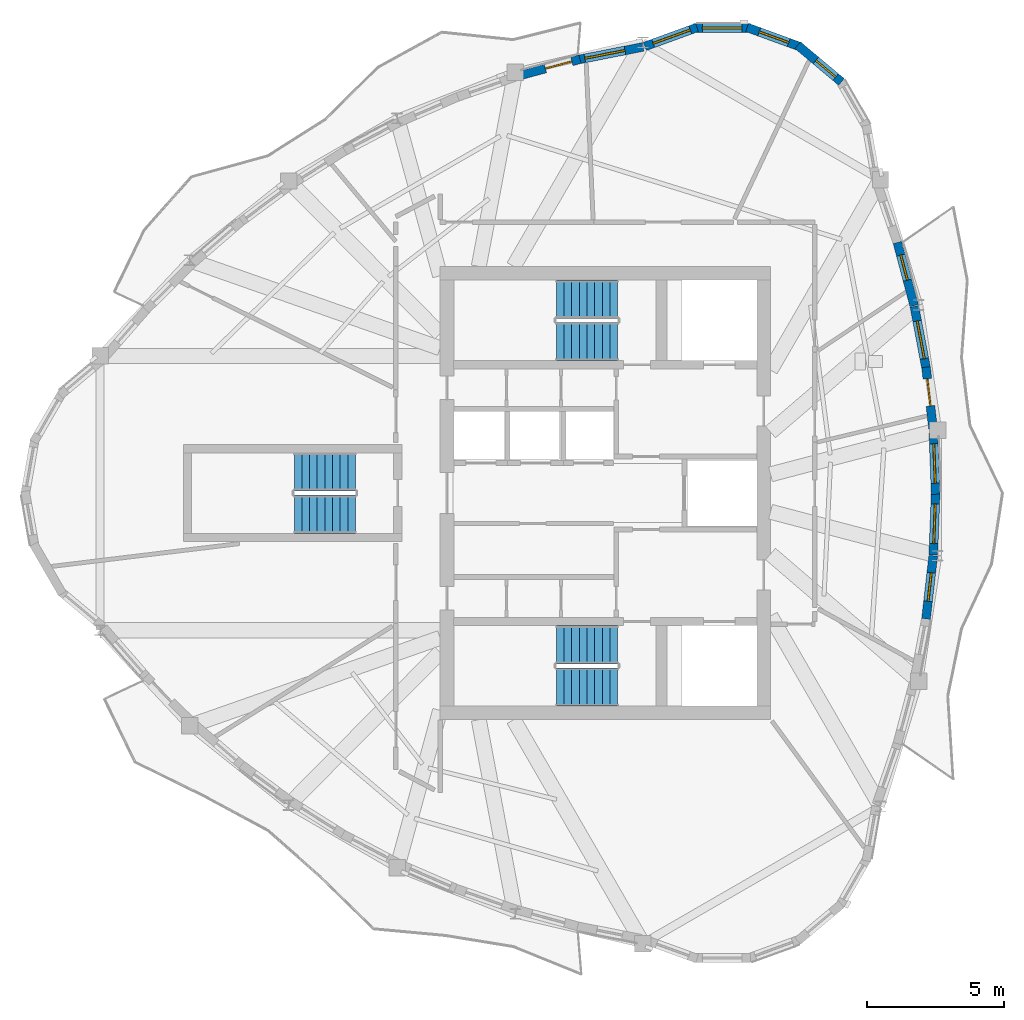
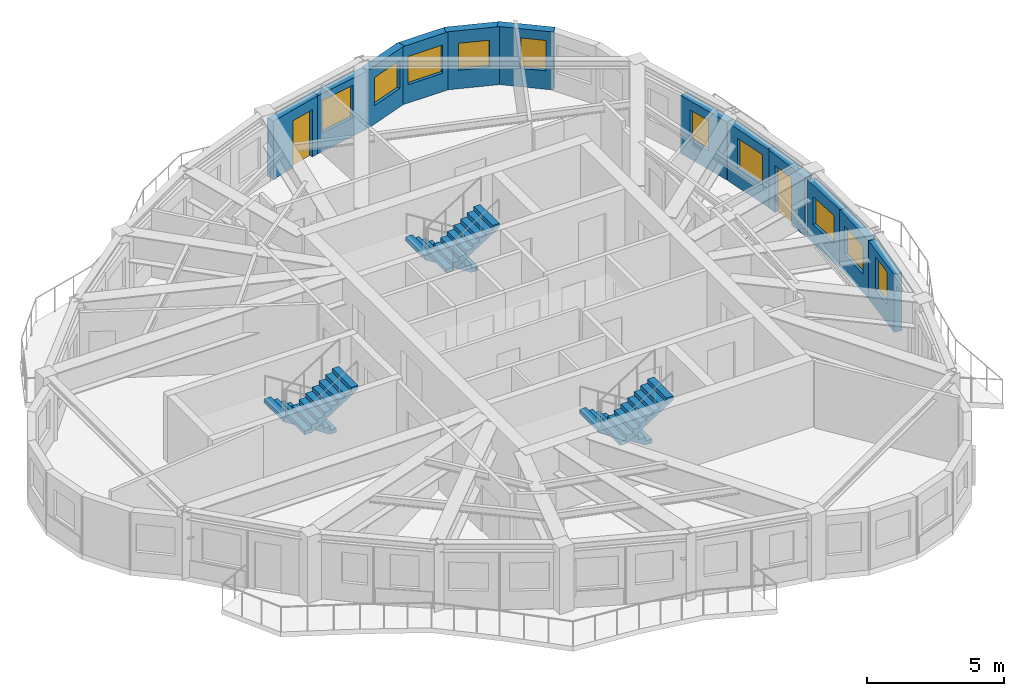
# One storey, part 7 of 11: 12 walls, 10 windows, 6 stair flights, 2 doors, 12 openings, 3 elements without a shape of their own.
"""IFC4 building model written with IfcOpenShell, lengths in metres."""

import ifcopenshell
import ifcopenshell.guid

model = None  # the IFC model being written
_history = None  # IfcOwnerHistory: only IFC2X3 demands one
_inside = {}  # id of a spatial element -> (the spatial element, [elements in it])
_under = {}  # id of a project, library or spatial element -> (it, [spatial elements below it])
_declared = {}  # id of a project -> (the project, [libraries it declares])
_typed = {}  # id of a type object -> (the type object, [elements of that type])
_made_of = {}  # id of a material, layer set ... -> (it, [elements and type objects made of it])


def new_model(schema):
    """Start an empty IFC model of exactly this schema.

    Asked for "IFC4X3", IfcOpenShell would pick the latest addendum, in which some entities
    have other attributes; the version numbers below select the first issue.
    IFC2X3 requires an IfcOwnerHistory on every rooted entity: one is made here for all.
    """
    global model, _history
    if schema == "IFC4X3":
        model = ifcopenshell.file(schema_version=(4, 3, 0, 0))
    else:
        model = ifcopenshell.file(schema=schema)
    _inside.clear()
    _under.clear()
    _declared.clear()
    _typed.clear()
    _made_of.clear()
    _history = None
    if model.schema == "IFC2X3":
        org = make("IfcOrganization", Name="unknown")
        user = make(
            "IfcPersonAndOrganization",
            ThePerson=make("IfcPerson", FamilyName="unknown"),
            TheOrganization=org,
        )
        app = make(
            "IfcApplication",
            ApplicationDeveloper=org,
            Version="unknown",
            ApplicationFullName="unknown",
            ApplicationIdentifier="unknown",
        )
        _history = make(
            "IfcOwnerHistory",
            OwningUser=user,
            OwningApplication=app,
            ChangeAction="ADDED",
            CreationDate=0,
        )
    return model


def make(cls, **values):
    """One entity of the class cls with the attributes given. An attribute that is None is left unset."""
    return model.create_entity(
        cls, **{name: value for name, value in values.items() if value is not None}
    )


def rooted(cls, **values):
    """An entity with a GlobalId (a new one), such as an element, a storey or a relation."""
    return make(cls, GlobalId=ifcopenshell.guid.new(), OwnerHistory=_history, **values)


def si_unit(unit_type, name, prefix=None):
    """IfcSIUnit, for example si_unit("LENGTHUNIT", "METRE", prefix="MILLI")."""
    return make("IfcSIUnit", UnitType=unit_type, Prefix=prefix, Name=name)


def assignment(units):
    """IfcUnitAssignment: the units of a project."""
    return None if units is None else make("IfcUnitAssignment", Units=units)


def point(xyz):
    """IfcCartesianPoint."""
    return None if xyz is None else make("IfcCartesianPoint", Coordinates=xyz)


def direction(xyz):
    """IfcDirection."""
    return None if xyz is None else make("IfcDirection", DirectionRatios=xyz)


def frame(location, z_axis=None, x_axis=None):
    """IfcAxis2Placement3D, a coordinate frame: its origin and axes. An axis left out is left unset."""
    return make(
        "IfcAxis2Placement3D",
        Location=point(location),
        Axis=direction(z_axis),
        RefDirection=direction(x_axis),
    )


def frame_2d(location, x_axis=None):
    """IfcAxis2Placement2D, a coordinate frame in the plane: its origin and x axis."""
    return make(
        "IfcAxis2Placement2D", Location=point(location), RefDirection=direction(x_axis)
    )


def origin():
    """The frame at (0, 0, 0) with its axes left unset."""
    return frame((0.0, 0.0, 0.0))


def place(relative_to, where):
    """IfcLocalPlacement: puts the frame where relative to a parent placement (None: the world)."""
    return make(
        "IfcLocalPlacement", PlacementRelTo=relative_to, RelativePlacement=where
    )


def context(
    kind, dimensions, precision=None, world=None, true_north=None, identifier=None
):
    """IfcGeometricRepresentationContext, for example the 3D "Model" context."""
    return make(
        "IfcGeometricRepresentationContext",
        ContextIdentifier=identifier,
        ContextType=kind,
        CoordinateSpaceDimension=dimensions,
        Precision=precision,
        WorldCoordinateSystem=world,
        TrueNorth=true_north,
    )


def subcontext(parent, identifier, kind, view, scale=None):
    """IfcGeometricRepresentationSubContext, for example "Body" below "Model"."""
    return make(
        "IfcGeometricRepresentationSubContext",
        ContextIdentifier=identifier,
        ContextType=kind,
        ParentContext=parent,
        TargetScale=scale,
        TargetView=view,
    )


def project(units=None, contexts=None):
    """IfcProject with its units and contexts."""
    return rooted(
        "IfcProject",
        Name="project",
        RepresentationContexts=contexts,
        UnitsInContext=assignment(units),
    )


def spatial(cls, under=None, at=None, **own):
    """A site, building, storey or space (cls), placed at a placement, below another one or the project."""
    s = rooted(cls, ObjectPlacement=at, **own)
    if under is not None:
        _under.setdefault(under.id(), (under, []))[1].append(s)
    return s


def polyline(points):
    """IfcPolyline through the points."""
    return make("IfcPolyline", Points=[point(p) for p in points])


def profile(cls, at=None, kind="AREA", **sizes):
    """A parametric profile (cls). Its sizes go by their IFC names, for example OverallWidth=200.0."""
    return make(cls, ProfileType=kind, Position=at, **sizes)


def rectangle(**sizes):
    """IfcRectangleProfileDef."""
    return profile("IfcRectangleProfileDef", **sizes)


def outline(outer, holes=None, kind="AREA"):
    """IfcArbitraryClosedProfileDef: a profile drawn as a closed curve; with holes, ...WithVoids."""
    if holes is None:
        return make("IfcArbitraryClosedProfileDef", ProfileType=kind, OuterCurve=outer)
    return make(
        "IfcArbitraryProfileDefWithVoids",
        ProfileType=kind,
        OuterCurve=outer,
        InnerCurves=holes,
    )


def extrude(swept, where, along, depth):
    """IfcExtrudedAreaSolid: the profile swept, set in the frame where, extruded along a direction by depth."""
    return make(
        "IfcExtrudedAreaSolid",
        SweptArea=swept,
        Position=where,
        ExtrudedDirection=direction(along),
        Depth=depth,
    )


def shape(context_of_items, identifier, shape_type, items):
    """IfcShapeRepresentation: the items that make up one representation, for example the "Body"."""
    return make(
        "IfcShapeRepresentation",
        ContextOfItems=context_of_items,
        RepresentationIdentifier=identifier,
        RepresentationType=shape_type,
        Items=items,
    )


def source(mapping_origin, context_of_items, identifier, shape_type, items):
    """IfcRepresentationMap: a shape defined once, which mapped items show again and again."""
    return make(
        "IfcRepresentationMap",
        MappingOrigin=mapping_origin,
        MappedRepresentation=shape(context_of_items, identifier, shape_type, items),
    )


def transform(
    local_origin,
    x_axis=None,
    y_axis=None,
    z_axis=None,
    scale=None,
    scale2=None,
    scale3=None,
    uniform=True,
):
    """IfcCartesianTransformationOperator3D, or its non-uniform kind. x_axis, y_axis, z_axis: its Axis1, 2, 3."""
    if uniform:
        return make(
            "IfcCartesianTransformationOperator3D",
            Axis1=direction(x_axis),
            Axis2=direction(y_axis),
            LocalOrigin=point(local_origin),
            Scale=scale,
            Axis3=direction(z_axis),
        )
    return make(
        "IfcCartesianTransformationOperator3DnonUniform",
        Axis1=direction(x_axis),
        Axis2=direction(y_axis),
        LocalOrigin=point(local_origin),
        Scale=scale,
        Axis3=direction(z_axis),
        Scale2=scale2,
        Scale3=scale3,
    )


def mapped(mapping_source, mapping_target):
    """IfcMappedItem: shows the shape of a source again, moved by a transform."""
    return make(
        "IfcMappedItem", MappingSource=mapping_source, MappingTarget=mapping_target
    )


def material(Name=None, Category=None):
    """IfcMaterial."""
    return make("IfcMaterial", Name=Name, Category=Category)


def layer(
    of_material, thickness, ventilated=None, Name=None, Category=None, Priority=None
):
    """IfcMaterialLayer: one layer of a wall or slab, of a material (None: an air gap)."""
    return make(
        "IfcMaterialLayer",
        Material=of_material,
        LayerThickness=thickness,
        IsVentilated=ventilated,
        Name=Name,
        Category=Category,
        Priority=Priority,
    )


def layer_set(layers, Name=None):
    """IfcMaterialLayerSet."""
    return make("IfcMaterialLayerSet", MaterialLayers=layers, LayerSetName=Name)


def made_of(thing, what):
    """Note that an element or type object is made of a material, layer set ...; save() writes the relation."""
    if what is not None:
        _made_of.setdefault(what.id(), (what, []))[1].append(thing)
    return thing


def type_object(cls, material=None, **own):
    """A type object (cls), such as IfcWallType, which elements share."""
    return made_of(rooted(cls, **own), material)


def element(
    cls,
    number,
    at=None,
    inside=None,
    cuts=None,
    type_object=None,
    material=None,
    context=None,
    identifier="Body",
    shape_type=None,
    held_by="IfcProductDefinitionShape",
    body=None,
    shapes=None,
    **own,
):
    """One element of the class cls, such as IfcWall. Its Tag is "e" and its number.

    at: its placement. inside: the storey or other place that contains it. cuts: it is an
    opening in that element (IfcRelVoidsElement). A single representation is given by context,
    identifier, shape_type and body (its items); several are given by shapes. held_by: the class
    of the entity that holds the representations. save() writes the other relations.
    """
    e = rooted(cls, Tag="e%d" % number, ObjectPlacement=at, **own)
    if body is not None:
        shapes = [shape(context, identifier, shape_type, body)]
    if shapes is not None:
        e.Representation = make(held_by, Representations=shapes)
    if inside is not None:
        _inside.setdefault(inside.id(), (inside, []))[1].append(e)
    if cuts is not None:
        rooted(
            "IfcRelVoidsElement", RelatingBuildingElement=cuts, RelatedOpeningElement=e
        )
    if type_object is not None:
        _typed.setdefault(type_object.id(), (type_object, []))[1].append(e)
    return made_of(e, material)


def fill(opening, filler):
    """IfcRelFillsElement: the door or window that sits in an opening."""
    return rooted(
        "IfcRelFillsElement",
        RelatingOpeningElement=opening,
        RelatedBuildingElement=filler,
    )


def aggregate(whole, parts):
    """IfcRelAggregates: a whole, such as a stair, and the parts it consists of."""
    return rooted("IfcRelAggregates", RelatingObject=whole, RelatedObjects=parts)


def save(model, path):
    """Write the relations noted so far, then the file.

    IfcRelAggregates (storeys below a building ...), IfcRelContainedInSpatialStructure (elements
    in a storey), IfcRelDefinesByType, IfcRelAssociatesMaterial and IfcRelDeclares: one each for
    every whole, place, type object, material and project.
    """
    for whole, parts in _under.values():
        aggregate(whole, parts)
    for where, things in _inside.values():
        rooted(
            "IfcRelContainedInSpatialStructure",
            RelatedElements=things,
            RelatingStructure=where,
        )
    for kind, things in _typed.values():
        rooted("IfcRelDefinesByType", RelatedObjects=things, RelatingType=kind)
    for what, things in _made_of.values():
        rooted("IfcRelAssociatesMaterial", RelatedObjects=things, RelatingMaterial=what)
    for by, libraries in _declared.values():
        rooted("IfcRelDeclares", RelatingContext=by, RelatedDefinitions=libraries)
    model.write(path)


model = new_model("IFC4")

# Units and contexts
model_context = context("Model", 3, precision=1e-05, world=origin(), true_north=direction((0.0, 1.0)))
body_context = subcontext(model_context, "Body", "Model", "MODEL_VIEW")
ifc_project = project(units=[si_unit("LENGTHUNIT", "METRE"), si_unit("AREAUNIT", "SQUARE_METRE"), si_unit("VOLUMEUNIT", "CUBIC_METRE"), si_unit("PLANEANGLEUNIT", "RADIAN"), si_unit("MASSUNIT", "GRAM", prefix="KILO")], contexts=[model_context])

# Site, building, storey
site_placement = place(None, origin())
site = spatial("IfcSite", under=ifc_project, at=site_placement, CompositionType="ELEMENT")
building_placement = place(site_placement, origin())
building = spatial("IfcBuilding", under=site, at=building_placement, Name="Qafzar Sky-Pleat Residences", CompositionType="ELEMENT")
storey_placement = place(building_placement, frame((0.0, 0.0, 221.199951171875)))
storey = spatial("IfcBuildingStorey", under=building, at=storey_placement, Name="L66", CompositionType="ELEMENT", Elevation=221.199951171875)

# Wall, opening, window
ifc_material_1 = material(Name="Precast concrete C40/50 with honed Riyadh limestone", Category="concrete")
ifc_layer = layer(ifc_material_1, 0.320068359375)
ifc_layer_set = layer_set([ifc_layer], Name="Precast concrete C40/50 with honed Riyadh limestone")
wall_type = type_object("IfcWallType", Name="WALL-EXT-320", PredefinedType="SOLIDWALL", material=ifc_layer_set)
wall_1_placement = place(storey_placement, frame((42.093017578125, 21.390380859375, 0.0), z_axis=(0.0, 0.0, 1.0), x_axis=(0.113262644001, 0.993565082656, 0.0)))
wall_1 = element("IfcWall", 1, at=wall_1_placement, inside=storey, type_object=wall_type, Name="L66 Limestone Facade Wall 26", PredefinedType="SOLIDWALL", context=body_context, shape_type="SweptSolid", body=[
    extrude(rectangle(XDim=2.327880859375, YDim=0.320068359375, at=frame_2d((1.1640625, 0.0))), origin(), (0.0, 0.0, 1.0), 2.580078125),
])
opening_1_placement = place(wall_1_placement, frame((0.64892578125, 0.0, 0.820068359375)))
opening_1 = element("IfcOpeningElement", 2, at=opening_1_placement, cuts=wall_1, Name="Opening WN-06", PredefinedType="OPENING", context=body_context, shape_type="SweptSolid", body=[
    extrude(rectangle(XDim=1.050048828125, YDim=1.449951171875, at=frame_2d((0.52490234375, 0.72509765625))), frame((0.0, 0.169921875, 0.0), z_axis=(0.0, -1.0, 0.0), x_axis=(1.0, 0.0, 0.0)), (0.0, 0.0, 1.0), 0.340087890625),
])
ifc_material_2 = material(Name="Solar-control low-E glass in bronze aluminium frame", Category="glass")
window_type_1 = type_object("IfcWindowType", Name="WIN-06", PartitioningType="SINGLE_PANEL", PredefinedType="WINDOW", material=ifc_material_2)
shared_shape_1 = source(origin(), body_context, "Body", "SweptSolid", [
    extrude(rectangle(XDim=1.050048828125, YDim=1.449951171875, at=frame_2d((0.52490234375, 0.72509765625))), frame((0.0, 0.030029296875, 0.0), z_axis=(0.0, -1.0, 0.0), x_axis=(1.0, 0.0, 0.0)), (0.0, 0.0, 1.0), 0.06005859375),
])
window_1_placement = place(opening_1_placement, origin())
window_1 = element("IfcWindow", 3, at=window_1_placement, inside=storey, type_object=window_type_1, Name="L66 Punched Facade Window 26", OverallHeight=1.449951171875, OverallWidth=1.050048828125, PartitioningType="SINGLE_PANEL", PredefinedType="WINDOW", context=body_context, shape_type="MappedRepresentation", body=[
    mapped(shared_shape_1, transform((0.0, 0.0, 0.0), x_axis=(1.0, 0.0, 0.0), y_axis=(0.0, 1.0, 0.0), z_axis=(0.0, 0.0, 1.0), scale=1.0)),
])
fill(opening_1, window_1)

wall_2_placement = place(storey_placement, frame((42.35888671875, 23.731201171875, 0.0), z_axis=(0.0, 0.0, 1.0), x_axis=(0.037975332386, 0.999278676912, 0.0)))
wall_2 = element("IfcWall", 4, at=wall_2_placement, inside=storey, type_object=wall_type, Name="L66 Limestone Facade Wall 27", PredefinedType="SOLIDWALL", context=body_context, shape_type="SweptSolid", body=[
    extrude(rectangle(XDim=2.314453125, YDim=0.320068359375, at=frame_2d((1.1572265625, 0.0))), origin(), (0.0, 0.0, 1.0), 2.580078125),
])
opening_2_placement = place(wall_2_placement, frame((0.42236328125, 0.0, 0.820068359375)))
opening_2 = element("IfcOpeningElement", 5, at=opening_2_placement, cuts=wall_2, Name="Opening WN-15", PredefinedType="OPENING", context=body_context, shape_type="SweptSolid", body=[
    extrude(rectangle(XDim=1.449951171875, YDim=1.25, at=frame_2d((0.72509765625, 0.625))), frame((0.0, 0.169921875, 0.0), z_axis=(0.0, -1.0, 0.0), x_axis=(1.0, 0.0, 0.0)), (0.0, 0.0, 1.0), 0.340087890625),
])
window_type_2 = type_object("IfcWindowType", Name="WIN-15", PartitioningType="SINGLE_PANEL", PredefinedType="WINDOW", material=ifc_material_2)
shared_shape_2 = source(origin(), body_context, "Body", "SweptSolid", [
    extrude(rectangle(XDim=1.449951171875, YDim=1.25, at=frame_2d((0.72509765625, 0.625))), frame((0.0, 0.030029296875, 0.0), z_axis=(0.0, -1.0, 0.0), x_axis=(1.0, 0.0, 0.0)), (0.0, 0.0, 1.0), 0.06005859375),
])
window_2_placement = place(opening_2_placement, origin())
window_2 = element("IfcWindow", 6, at=window_2_placement, inside=storey, type_object=window_type_2, Name="L66 Punched Facade Window 27", OverallHeight=1.25, OverallWidth=1.449951171875, PartitioningType="SINGLE_PANEL", PredefinedType="WINDOW", context=body_context, shape_type="MappedRepresentation", body=[
    mapped(shared_shape_2, transform((0.0, 0.0, 0.0), x_axis=(1.0, 0.0, 0.0), y_axis=(0.0, 1.0, 0.0), z_axis=(0.0, 0.0, 1.0), scale=1.0)),
])
fill(opening_2, window_2)

wall_3_placement = place(storey_placement, frame((42.44677734375, 25.9560546875, 0.0), z_axis=(0.0, 0.0, 1.0), x_axis=(-0.037961080573, 0.999279218418, 0.0)))
wall_3 = element("IfcWall", 7, at=wall_3_placement, inside=storey, type_object=wall_type, Name="L66 Limestone Facade Wall 28", PredefinedType="SOLIDWALL", context=body_context, shape_type="SweptSolid", body=[
    extrude(rectangle(XDim=2.24462890625, YDim=0.320068359375, at=frame_2d((1.122314453125, 0.0))), origin(), (0.0, 0.0, 1.0), 2.580078125),
])
opening_3_placement = place(wall_3_placement, frame((0.40234375, 0.0, 0.820068359375)))
opening_3 = element("IfcOpeningElement", 8, at=opening_3_placement, cuts=wall_3, Name="Opening WN-15", PredefinedType="OPENING", context=body_context, shape_type="SweptSolid", body=[
    extrude(rectangle(XDim=1.449951171875, YDim=1.25, at=frame_2d((0.72509765625, 0.625))), frame((0.0, 0.169921875, 0.0), z_axis=(0.0, -1.0, 0.0), x_axis=(1.0, 0.0, 0.0)), (0.0, 0.0, 1.0), 0.340087890625),
])
window_3_placement = place(opening_3_placement, origin())
window_3 = element("IfcWindow", 9, at=window_3_placement, inside=storey, type_object=window_type_2, Name="L66 Punched Facade Window 28", OverallHeight=1.25, OverallWidth=1.449951171875, PartitioningType="SINGLE_PANEL", PredefinedType="WINDOW", context=body_context, shape_type="MappedRepresentation", body=[
    mapped(shared_shape_2, transform((0.0, 0.0, 0.0), x_axis=(1.0, 0.0, 0.0), y_axis=(0.0, 1.0, 0.0), z_axis=(0.0, 0.0, 1.0), scale=1.0)),
])
fill(opening_3, window_3)

# Wall, opening, door
wall_4_placement = place(storey_placement, frame((42.348876953125, 28.3662109375, 0.0), z_axis=(0.0, 0.0, 1.0), x_axis=(-0.113314829757, 0.99355913229, 0.0)))
wall_4 = element("IfcWall", 10, at=wall_4_placement, inside=storey, type_object=wall_type, Name="L66 Limestone Facade Wall 29", PredefinedType="SOLIDWALL", context=body_context, shape_type="SweptSolid", body=[
    extrude(rectangle(XDim=2.258056640625, YDim=0.320068359375, at=frame_2d((1.12890625, 0.0))), origin(), (0.0, 0.0, 1.0), 2.580078125),
])
opening_4_placement = place(wall_4_placement, frame((0.830322265625, 0.0, 0.0)))
opening_4 = element("IfcOpeningElement", 11, at=opening_4_placement, cuts=wall_4, Name="Opening ED-05", PredefinedType="OPENING", context=body_context, shape_type="SweptSolid", body=[
    extrude(rectangle(XDim=1.0, YDim=2.10009765625, at=frame_2d((0.5, 1.050048828125))), frame((0.0, 0.169921875, 0.0), z_axis=(0.0, -1.0, 0.0), x_axis=(1.0, 0.0, 0.0)), (0.0, 0.0, 1.0), 0.340087890625),
])
ifc_material_3 = material(Name="Glazed bronze aluminium door", Category="aluminium")
door_type = type_object("IfcDoorType", Name="DR-BAL-1000", OperationType="NOTDEFINED", PredefinedType="DOOR", material=ifc_material_3)
shared_shape_3 = source(origin(), body_context, "Body", "SweptSolid", [
    extrude(rectangle(XDim=1.0, YDim=2.10009765625, at=frame_2d((0.5, 1.050048828125))), frame((0.0, 0.02490234375, 0.0), z_axis=(0.0, -1.0, 0.0), x_axis=(1.0, 0.0, 0.0)), (0.0, 0.0, 1.0), 0.050048828125),
])
door_1_placement = place(opening_4_placement, origin())
door_1 = element("IfcDoor", 12, at=door_1_placement, inside=storey, type_object=door_type, Name="L66 Glazed Balcony Door 1", OperationType="SINGLE_SWING_LEFT", OverallHeight=2.10009765625, OverallWidth=1.0, PredefinedType="DOOR", context=body_context, shape_type="MappedRepresentation", body=[
    mapped(shared_shape_3, transform((0.0, 0.0, 0.0), x_axis=(1.0, 0.0, 0.0), y_axis=(0.0, 1.0, 0.0), z_axis=(0.0, 0.0, 1.0), scale=1.0)),
])
fill(opening_4, door_1)

# Wall, opening, window
wall_5_placement = place(storey_placement, frame((42.106201171875, 30.522705078125, 0.0), z_axis=(0.0, 0.0, 1.0), x_axis=(-0.186673658051, 0.982421979289, 0.0)))
wall_5 = element("IfcWall", 13, at=wall_5_placement, inside=storey, type_object=wall_type, Name="L66 Limestone Facade Wall 30", PredefinedType="SOLIDWALL", context=body_context, shape_type="SweptSolid", body=[
    extrude(rectangle(XDim=2.35400390625, YDim=0.320068359375, at=frame_2d((1.177001953125, 0.0))), origin(), (0.0, 0.0, 1.0), 2.580078125),
])
opening_5_placement = place(wall_5_placement, frame((0.406982421875, 0.0, 0.820068359375)))
opening_5 = element("IfcOpeningElement", 14, at=opening_5_placement, cuts=wall_5, Name="Opening WN-10", PredefinedType="OPENING", context=body_context, shape_type="SweptSolid", body=[
    extrude(rectangle(XDim=1.39990234375, YDim=1.35009765625, at=frame_2d((0.699951171875, 0.675048828125))), frame((0.0, 0.169921875, 0.0), z_axis=(0.0, -1.0, 0.0), x_axis=(1.0, 0.0, 0.0)), (0.0, 0.0, 1.0), 0.340087890625),
])
window_type_3 = type_object("IfcWindowType", Name="WIN-10", PartitioningType="SINGLE_PANEL", PredefinedType="WINDOW", material=ifc_material_2)
shared_shape_4 = source(origin(), body_context, "Body", "SweptSolid", [
    extrude(rectangle(XDim=1.39990234375, YDim=1.35009765625, at=frame_2d((0.699951171875, 0.675048828125))), frame((0.0, 0.030029296875, 0.0), z_axis=(0.0, -1.0, 0.0), x_axis=(1.0, 0.0, 0.0)), (0.0, 0.0, 1.0), 0.06005859375),
])
window_4_placement = place(opening_5_placement, origin())
window_4 = element("IfcWindow", 15, at=window_4_placement, inside=storey, type_object=window_type_3, Name="L66 Punched Facade Window 30", OverallHeight=1.35009765625, OverallWidth=1.39990234375, PartitioningType="SINGLE_PANEL", PredefinedType="WINDOW", context=body_context, shape_type="MappedRepresentation", body=[
    mapped(shared_shape_4, transform((0.0, 0.0, 0.0), x_axis=(1.0, 0.0, 0.0), y_axis=(0.0, 1.0, 0.0), z_axis=(0.0, 0.0, 1.0), scale=1.0)),
])
fill(opening_5, window_4)

wall_6_placement = place(storey_placement, frame((41.660400390625, 32.863037109375, 0.0), z_axis=(0.0, 0.0, 1.0), x_axis=(-0.257008511659, 0.966409139513, 0.0)))
wall_6 = element("IfcWall", 16, at=wall_6_placement, inside=storey, type_object=wall_type, Name="L66 Limestone Facade Wall 31", PredefinedType="SOLIDWALL", context=body_context, shape_type="SweptSolid", body=[
    extrude(rectangle(XDim=2.392822265625, YDim=0.320068359375, at=frame_2d((1.1962890625, 0.0))), origin(), (0.0, 0.0, 1.0), 2.580078125),
])
opening_6_placement = place(wall_6_placement, frame((0.964599609375, 0.0, 0.820068359375)))
opening_6 = element("IfcOpeningElement", 17, at=opening_6_placement, cuts=wall_6, Name="Opening WN-12", PredefinedType="OPENING", context=body_context, shape_type="SweptSolid", body=[
    extrude(rectangle(XDim=0.949951171875, YDim=1.35009765625, at=frame_2d((0.47509765625, 0.675048828125))), frame((0.0, 0.169921875, 0.0), z_axis=(0.0, -1.0, 0.0), x_axis=(1.0, 0.0, 0.0)), (0.0, 0.0, 1.0), 0.340087890625),
])
window_type_4 = type_object("IfcWindowType", Name="WIN-12", PartitioningType="SINGLE_PANEL", PredefinedType="WINDOW", material=ifc_material_2)
shared_shape_5 = source(origin(), body_context, "Body", "SweptSolid", [
    extrude(rectangle(XDim=0.949951171875, YDim=1.35009765625, at=frame_2d((0.47509765625, 0.675048828125))), frame((0.0, 0.030029296875, 0.0), z_axis=(0.0, -1.0, 0.0), x_axis=(1.0, 0.0, 0.0)), (0.0, 0.0, 1.0), 0.06005859375),
])
window_5_placement = place(opening_6_placement, origin())
window_5 = element("IfcWindow", 18, at=window_5_placement, inside=storey, type_object=window_type_4, Name="L66 Punched Facade Window 31-2", OverallHeight=1.35009765625, OverallWidth=0.949951171875, PartitioningType="SINGLE_PANEL", PredefinedType="WINDOW", context=body_context, shape_type="MappedRepresentation", body=[
    mapped(shared_shape_5, transform((0.0, 0.0, 0.0), x_axis=(1.0, 0.0, 0.0), y_axis=(0.0, 1.0, 0.0), z_axis=(0.0, 0.0, 1.0), scale=1.0)),
])
fill(opening_6, window_5)

wall_7_placement = place(storey_placement, frame((38.994384765625, 41.055908203125, 0.0), z_axis=(0.0, 0.0, 1.0), x_axis=(-0.766024572719, 0.642811289563, 0.0)))
wall_7 = element("IfcWall", 19, at=wall_7_placement, inside=storey, type_object=wall_type, Name="L66 Limestone Facade Wall 35", PredefinedType="SOLIDWALL", context=body_context, shape_type="SweptSolid", body=[
    extrude(rectangle(XDim=2.09033203125, YDim=0.320068359375, at=frame_2d((1.045166015625, 0.0))), origin(), (0.0, 0.0, 1.0), 2.580078125),
])
opening_7_placement = place(wall_7_placement, frame((0.2705078125, 0.0, 0.820068359375)))
opening_7 = element("IfcOpeningElement", 20, at=opening_7_placement, cuts=wall_7, Name="Opening WN-12", PredefinedType="OPENING", context=body_context, shape_type="SweptSolid", body=[
    extrude(rectangle(XDim=0.949951171875, YDim=1.35009765625, at=frame_2d((0.47509765625, 0.675048828125))), frame((0.0, 0.169921875, 0.0), z_axis=(0.0, -1.0, 0.0), x_axis=(1.0, 0.0, 0.0)), (0.0, 0.0, 1.0), 0.340087890625),
])
window_6_placement = place(opening_7_placement, origin())
window_6 = element("IfcWindow", 21, at=window_6_placement, inside=storey, type_object=window_type_4, Name="L66 Punched Facade Window 35", OverallHeight=1.35009765625, OverallWidth=0.949951171875, PartitioningType="SINGLE_PANEL", PredefinedType="WINDOW", context=body_context, shape_type="MappedRepresentation", body=[
    mapped(shared_shape_5, transform((0.0, 0.0, 0.0), x_axis=(1.0, 0.0, 0.0), y_axis=(0.0, 1.0, 0.0), z_axis=(0.0, 0.0, 1.0), scale=1.0)),
])
fill(opening_7, window_6)

wall_8_placement = place(storey_placement, frame((37.506103515625, 42.33447265625, 0.0), z_axis=(0.0, 0.0, 1.0), x_axis=(-0.939711556618, 0.341968113072, 0.0)))
wall_8 = element("IfcWall", 22, at=wall_8_placement, inside=storey, type_object=wall_type, Name="L66 Limestone Facade Wall 36", PredefinedType="SOLIDWALL", context=body_context, shape_type="SweptSolid", body=[
    extrude(rectangle(XDim=2.09033203125, YDim=0.320068359375, at=frame_2d((1.045166015625, 0.0))), origin(), (0.0, 0.0, 1.0), 2.580078125),
])
opening_8_placement = place(wall_8_placement, frame((0.47021484375, 0.0, 0.820068359375)))
opening_8 = element("IfcOpeningElement", 23, at=opening_8_placement, cuts=wall_8, Name="Opening WN-16", PredefinedType="OPENING", context=body_context, shape_type="SweptSolid", body=[
    extrude(rectangle(XDim=1.14990234375, YDim=1.199951171875, at=frame_2d((0.574951171875, 0.60009765625))), frame((0.0, 0.169921875, 0.0), z_axis=(0.0, -1.0, 0.0), x_axis=(1.0, 0.0, 0.0)), (0.0, 0.0, 1.0), 0.340087890625),
])
window_type_5 = type_object("IfcWindowType", Name="WIN-16", PartitioningType="SINGLE_PANEL", PredefinedType="WINDOW", material=ifc_material_2)
shared_shape_6 = source(origin(), body_context, "Body", "SweptSolid", [
    extrude(rectangle(XDim=1.14990234375, YDim=1.199951171875, at=frame_2d((0.574951171875, 0.60009765625))), frame((0.0, 0.030029296875, 0.0), z_axis=(0.0, -1.0, 0.0), x_axis=(1.0, 0.0, 0.0)), (0.0, 0.0, 1.0), 0.06005859375),
])
window_7_placement = place(opening_8_placement, origin())
window_7 = element("IfcWindow", 24, at=window_7_placement, inside=storey, type_object=window_type_5, Name="L66 Punched Facade Window 36", OverallHeight=1.199951171875, OverallWidth=1.14990234375, PartitioningType="SINGLE_PANEL", PredefinedType="WINDOW", context=body_context, shape_type="MappedRepresentation", body=[
    mapped(shared_shape_6, transform((0.0, 0.0, 0.0), x_axis=(1.0, 0.0, 0.0), y_axis=(0.0, 1.0, 0.0), z_axis=(0.0, 0.0, 1.0), scale=1.0)),
])
fill(opening_8, window_7)

wall_9_placement = place(storey_placement, frame((35.670166015625, 43.026611328125, 0.0), z_axis=(0.0, 0.0, 1.0), x_axis=(-1.0, 0.0, 0.0)))
wall_9 = element("IfcWall", 25, at=wall_9_placement, inside=storey, type_object=wall_type, Name="L66 Limestone Facade Wall 37", PredefinedType="SOLIDWALL", context=body_context, shape_type="SweptSolid", body=[
    extrude(rectangle(XDim=2.09033203125, YDim=0.320068359375, at=frame_2d((1.045166015625, 0.0))), origin(), (0.0, 0.0, 1.0), 2.580078125),
])
opening_9_placement = place(wall_9_placement, frame((0.3203125, 0.0, 0.820068359375)))
opening_9 = element("IfcOpeningElement", 26, at=opening_9_placement, cuts=wall_9, Name="Opening WN-15", PredefinedType="OPENING", context=body_context, shape_type="SweptSolid", body=[
    extrude(rectangle(XDim=1.449951171875, YDim=1.25, at=frame_2d((0.72509765625, 0.625))), frame((0.0, 0.169921875, 0.0), z_axis=(0.0, -1.0, 0.0), x_axis=(1.0, 0.0, 0.0)), (0.0, 0.0, 1.0), 0.340087890625),
])
window_8_placement = place(opening_9_placement, origin())
window_8 = element("IfcWindow", 27, at=window_8_placement, inside=storey, type_object=window_type_2, Name="L66 Punched Facade Window 37", OverallHeight=1.25, OverallWidth=1.449951171875, PartitioningType="SINGLE_PANEL", PredefinedType="WINDOW", context=body_context, shape_type="MappedRepresentation", body=[
    mapped(shared_shape_2, transform((0.0, 0.0, 0.0), x_axis=(1.0, 0.0, 0.0), y_axis=(0.0, 1.0, 0.0), z_axis=(0.0, 0.0, 1.0), scale=1.0)),
])
fill(opening_9, window_8)

wall_10_placement = place(storey_placement, frame((33.708251953125, 43.04931640625, 0.0), z_axis=(0.0, 0.0, 1.0), x_axis=(-0.939691662178, -0.342022777067, 0.0)))
wall_10 = element("IfcWall", 28, at=wall_10_placement, inside=storey, type_object=wall_type, Name="L66 Limestone Facade Wall 38", PredefinedType="SOLIDWALL", context=body_context, shape_type="SweptSolid", body=[
    extrude(rectangle(XDim=2.0322265625, YDim=0.320068359375, at=frame_2d((1.01611328125, 0.0))), origin(), (0.0, 0.0, 1.0), 2.580078125),
])
opening_10_placement = place(wall_10_placement, frame((0.260986328125, 0.0, 0.820068359375)))
opening_10 = element("IfcOpeningElement", 29, at=opening_10_placement, cuts=wall_10, Name="Opening WN-15", PredefinedType="OPENING", context=body_context, shape_type="SweptSolid", body=[
    extrude(rectangle(XDim=1.449951171875, YDim=1.25, at=frame_2d((0.72509765625, 0.625))), frame((0.0, 0.169921875, 0.0), z_axis=(0.0, -1.0, 0.0), x_axis=(1.0, 0.0, 0.0)), (0.0, 0.0, 1.0), 0.340087890625),
])
window_9_placement = place(opening_10_placement, origin())
window_9 = element("IfcWindow", 30, at=window_9_placement, inside=storey, type_object=window_type_2, Name="L66 Punched Facade Window 38", OverallHeight=1.25, OverallWidth=1.449951171875, PartitioningType="SINGLE_PANEL", PredefinedType="WINDOW", context=body_context, shape_type="MappedRepresentation", body=[
    mapped(shared_shape_2, transform((0.0, 0.0, 0.0), x_axis=(1.0, 0.0, 0.0), y_axis=(0.0, 1.0, 0.0), z_axis=(0.0, 0.0, 1.0), scale=1.0)),
])
fill(opening_10, window_9)

wall_11_placement = place(storey_placement, frame((31.736083984375, 42.3369140625, 0.0), z_axis=(0.0, 0.0, 1.0), x_axis=(-0.981228566979, -0.192848384345, 0.0)))
wall_11 = element("IfcWall", 31, at=wall_11_placement, inside=storey, type_object=wall_type, Name="L66 Limestone Facade Wall 39", PredefinedType="SOLIDWALL", context=body_context, shape_type="SweptSolid", body=[
    extrude(rectangle(XDim=2.443359375, YDim=0.320068359375, at=frame_2d((1.2216796875, 0.0))), origin(), (0.0, 0.0, 1.0), 2.580078125),
])
opening_11_placement = place(wall_11_placement, frame((0.6787109375, 0.0, 0.820068359375)))
opening_11 = element("IfcOpeningElement", 32, at=opening_11_placement, cuts=wall_11, Name="Opening WN-03", PredefinedType="OPENING", context=body_context, shape_type="SweptSolid", body=[
    extrude(rectangle(XDim=1.5, YDim=1.449951171875, at=frame_2d((0.75, 0.72509765625))), frame((0.0, 0.169921875, 0.0), z_axis=(0.0, -1.0, 0.0), x_axis=(1.0, 0.0, 0.0)), (0.0, 0.0, 1.0), 0.340087890625),
])
window_type_6 = type_object("IfcWindowType", Name="WIN-03", PartitioningType="DOUBLE_PANEL_VERTICAL", PredefinedType="WINDOW", material=ifc_material_2)
shared_shape_7 = source(origin(), body_context, "Body", "SweptSolid", [
    extrude(rectangle(XDim=1.5, YDim=1.449951171875, at=frame_2d((0.75, 0.72509765625))), frame((0.0, 0.030029296875, 0.0), z_axis=(0.0, -1.0, 0.0), x_axis=(1.0, 0.0, 0.0)), (0.0, 0.0, 1.0), 0.06005859375),
])
window_10_placement = place(opening_11_placement, origin())
window_10 = element("IfcWindow", 33, at=window_10_placement, inside=storey, type_object=window_type_6, Name="L66 Punched Facade Window 39", OverallHeight=1.449951171875, OverallWidth=1.5, PartitioningType="SINGLE_PANEL", PredefinedType="WINDOW", context=body_context, shape_type="MappedRepresentation", body=[
    mapped(shared_shape_7, transform((0.0, 0.0, 0.0), x_axis=(1.0, 0.0, 0.0), y_axis=(0.0, 1.0, 0.0), z_axis=(0.0, 0.0, 1.0), scale=1.0)),
])
fill(opening_11, window_10)

# Wall, opening, door
wall_12_placement = place(storey_placement, frame((29.423583984375, 41.885498046875, 0.0), z_axis=(0.0, 0.0, 1.0), x_axis=(-0.965461343217, -0.260546338976, 0.0)))
wall_12 = element("IfcWall", 34, at=wall_12_placement, inside=storey, type_object=wall_type, Name="L66 Limestone Facade Wall 40", PredefinedType="SOLIDWALL", context=body_context, shape_type="SweptSolid", body=[
    extrude(rectangle(XDim=2.322998046875, YDim=0.320068359375, at=frame_2d((1.16162109375, 0.0))), origin(), (0.0, 0.0, 1.0), 2.580078125),
])
opening_12_placement = place(wall_12_placement, frame((0.31298828125, 0.0, 0.0)))
opening_12 = element("IfcOpeningElement", 35, at=opening_12_placement, cuts=wall_12, Name="Opening ED-05", PredefinedType="OPENING", context=body_context, shape_type="SweptSolid", body=[
    extrude(rectangle(XDim=1.0, YDim=2.10009765625, at=frame_2d((0.5, 1.050048828125))), frame((0.0, 0.169921875, 0.0), z_axis=(0.0, -1.0, 0.0), x_axis=(1.0, 0.0, 0.0)), (0.0, 0.0, 1.0), 0.340087890625),
])
door_2_placement = place(opening_12_placement, origin())
door_2 = element("IfcDoor", 36, at=door_2_placement, inside=storey, type_object=door_type, Name="L66 Glazed Balcony Door 2", OperationType="SINGLE_SWING_LEFT", OverallHeight=2.10009765625, OverallWidth=1.0, PredefinedType="DOOR", context=body_context, shape_type="MappedRepresentation", body=[
    mapped(shared_shape_3, transform((0.0, 0.0, 0.0), x_axis=(1.0, 0.0, 0.0), y_axis=(0.0, 1.0, 0.0), z_axis=(0.0, 0.0, 1.0), scale=1.0)),
])
fill(opening_12, door_2)

# Stair, stair flights
ifc_material_4 = material(Name="Concrete C40/50", Category="concrete")
stair_type = type_object("IfcStairType", Name="STAIR-H320", PredefinedType="HALF_TURN_STAIR", material=ifc_material_4)
stair_1_placement = place(storey_placement, origin())
stair_1 = element("IfcStair", 37, at=stair_1_placement, inside=storey, type_object=stair_type, Name="L66 Protected Exit Stair ST1", PredefinedType="HALF_TURN_STAIR")
stair_flight_type = type_object("IfcStairFlightType", Name="FLIGHT-H320", PredefinedType="STRAIGHT", material=ifc_material_4)
shared_shape_8 = source(origin(), body_context, "Body", "SweptSolid", [
    extrude(outline(polyline([(0.0, 0.0), (0.0, 0.177734375), (0.280029296875, 0.177734375), (0.280029296875, 0.35546875), (0.56005859375, 0.35546875), (0.56005859375, 0.533447265625), (0.840087890625, 0.533447265625), (0.840087890625, 0.711181640625), (1.1201171875, 0.711181640625), (1.1201171875, 0.888916015625), (1.39990234375, 0.888916015625), (1.39990234375, 1.066650390625), (1.679931640625, 1.066650390625), (1.679931640625, 1.244384765625), (1.9599609375, 1.244384765625), (1.9599609375, 1.422119140625), (2.239990234375, 1.422119140625), (2.239990234375, 1.60009765625), (2.239990234375, 1.24462890625), (0.27978515625, 0.0), (0.0, 0.0)])), frame((0.0, 0.699951171875, 0.0), z_axis=(0.0, -1.0, 0.0), x_axis=(1.0, 0.0, 0.0)), (0.0, 0.0, 1.0), 1.39990234375),
])
stair_flight_1_placement = place(storey_placement, frame((30.800048828125, 20.449951171875, 0.0), z_axis=(0.0, 0.0, 1.0), x_axis=(-1.0, 0.0, 0.0)))
stair_flight_1 = element("IfcStairFlight", 38, at=stair_flight_1_placement, type_object=stair_flight_type, Name="ST1 flight 1", NumberOfRisers=9, NumberOfTreads=8, PredefinedType="STRAIGHT", RiserHeight=0.177777778, TreadLength=0.28, context=body_context, shape_type="MappedRepresentation", body=[
    mapped(shared_shape_8, transform((0.0, 0.0, 0.0), x_axis=(1.0, 0.0, 0.0), y_axis=(0.0, 1.0, 0.0), z_axis=(0.0, 0.0, 1.0), scale=1.0)),
])
stair_flight_2_placement = place(storey_placement, frame((28.56005859375, 18.89990234375, 1.60009765625), z_axis=(0.0, 0.0, 1.0), x_axis=(1.0, 0.0, 0.0)))
stair_flight_2 = element("IfcStairFlight", 39, at=stair_flight_2_placement, type_object=stair_flight_type, Name="ST1 flight 2", NumberOfRisers=9, NumberOfTreads=8, PredefinedType="STRAIGHT", RiserHeight=0.177777778, TreadLength=0.28, context=body_context, shape_type="MappedRepresentation", body=[
    mapped(shared_shape_8, transform((0.0, 0.0, 0.0), x_axis=(1.0, 0.0, 0.0), y_axis=(0.0, 1.0, 0.0), z_axis=(0.0, 0.0, 1.0), scale=1.0)),
])
aggregate(stair_1, [stair_flight_1, stair_flight_2])

stair_2_placement = place(storey_placement, origin())
stair_2 = element("IfcStair", 40, at=stair_2_placement, inside=storey, type_object=stair_type, Name="L66 Protected Exit Stair ST2", PredefinedType="HALF_TURN_STAIR")
stair_flight_3_placement = place(storey_placement, frame((30.800048828125, 33.10009765625, 0.0), z_axis=(0.0, 0.0, 1.0), x_axis=(-1.0, 0.0, 0.0)))
stair_flight_3 = element("IfcStairFlight", 41, at=stair_flight_3_placement, type_object=stair_flight_type, Name="ST2 flight 1", NumberOfRisers=9, NumberOfTreads=8, PredefinedType="STRAIGHT", RiserHeight=0.177777778, TreadLength=0.28, context=body_context, shape_type="MappedRepresentation", body=[
    mapped(shared_shape_8, transform((0.0, 0.0, 0.0), x_axis=(1.0, 0.0, 0.0), y_axis=(0.0, 1.0, 0.0), z_axis=(0.0, 0.0, 1.0), scale=1.0)),
])
stair_flight_4_placement = place(storey_placement, frame((28.56005859375, 31.550048828125, 1.60009765625), z_axis=(0.0, 0.0, 1.0), x_axis=(1.0, 0.0, 0.0)))
stair_flight_4 = element("IfcStairFlight", 42, at=stair_flight_4_placement, type_object=stair_flight_type, Name="ST2 flight 2", NumberOfRisers=9, NumberOfTreads=8, PredefinedType="STRAIGHT", RiserHeight=0.177777778, TreadLength=0.28, context=body_context, shape_type="MappedRepresentation", body=[
    mapped(shared_shape_8, transform((0.0, 0.0, 0.0), x_axis=(1.0, 0.0, 0.0), y_axis=(0.0, 1.0, 0.0), z_axis=(0.0, 0.0, 1.0), scale=1.0)),
])
aggregate(stair_2, [stair_flight_3, stair_flight_4])

stair_3_placement = place(storey_placement, origin())
stair_3 = element("IfcStair", 43, at=stair_3_placement, inside=storey, type_object=stair_type, Name="L66 Protected Exit Stair ST3", PredefinedType="HALF_TURN_STAIR")
stair_flight_5_placement = place(storey_placement, frame((21.199951171875, 26.77490234375, 0.0), z_axis=(0.0, 0.0, 1.0), x_axis=(-1.0, 0.0, 0.0)))
stair_flight_5 = element("IfcStairFlight", 44, at=stair_flight_5_placement, type_object=stair_flight_type, Name="ST3 flight 1", NumberOfRisers=9, NumberOfTreads=8, PredefinedType="STRAIGHT", RiserHeight=0.177777778, TreadLength=0.28, context=body_context, shape_type="MappedRepresentation", body=[
    mapped(shared_shape_8, transform((0.0, 0.0, 0.0), x_axis=(1.0, 0.0, 0.0), y_axis=(0.0, 1.0, 0.0), z_axis=(0.0, 0.0, 1.0), scale=1.0)),
])
stair_flight_6_placement = place(storey_placement, frame((18.9599609375, 25.22509765625, 1.60009765625), z_axis=(0.0, 0.0, 1.0), x_axis=(1.0, 0.0, 0.0)))
stair_flight_6 = element("IfcStairFlight", 45, at=stair_flight_6_placement, type_object=stair_flight_type, Name="ST3 flight 2", NumberOfRisers=9, NumberOfTreads=8, PredefinedType="STRAIGHT", RiserHeight=0.177777778, TreadLength=0.28, context=body_context, shape_type="MappedRepresentation", body=[
    mapped(shared_shape_8, transform((0.0, 0.0, 0.0), x_axis=(1.0, 0.0, 0.0), y_axis=(0.0, 1.0, 0.0), z_axis=(0.0, 0.0, 1.0), scale=1.0)),
])
aggregate(stair_3, [stair_flight_5, stair_flight_6])

save(model, "model.ifc")
